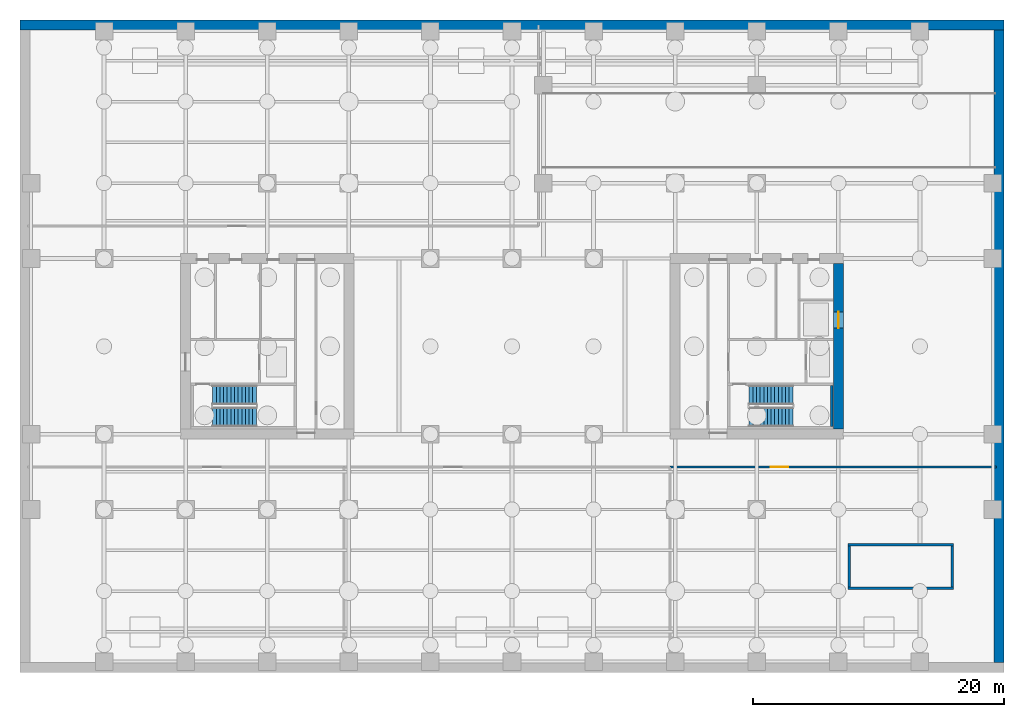
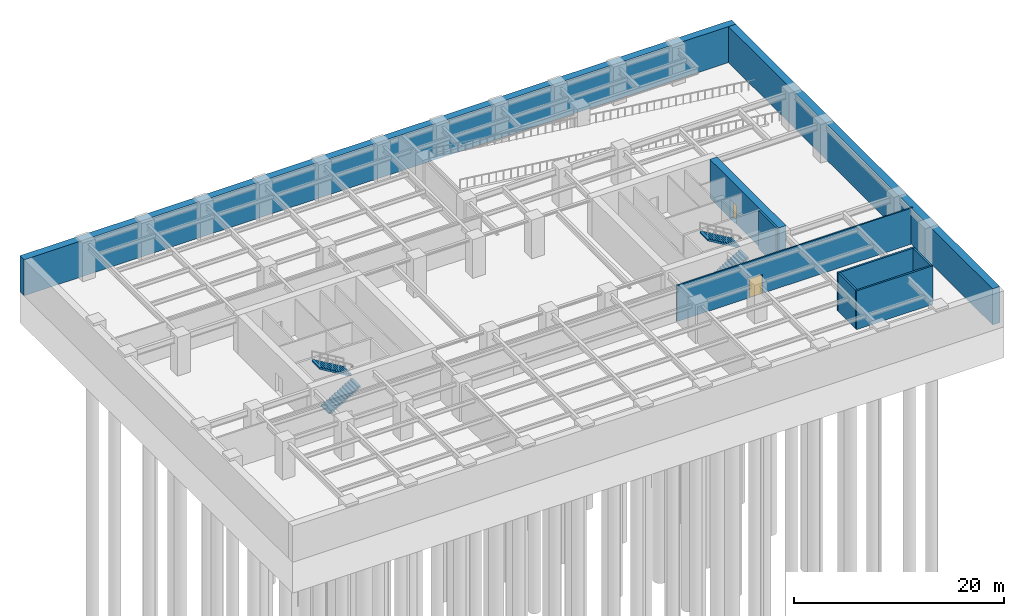
# One storey, part 7 of 11: 9 walls, 4 stair flights, 2 doors, 2 openings, 2 elements without a shape of their own.
"""IFC4 building model written with IfcOpenShell, lengths in metres."""

from ifc_helpers import new_model, si_unit, direction, frame, frame_2d, origin, place, context, subcontext, project, spatial, polyline, rectangle, outline, extrude, material, layer, layer_set, type_object, element, fill, aggregate, save


model = new_model("IFC4")

# Units and contexts
model_context = context("Model", 3, precision=1e-05, world=origin(), true_north=direction((0.0, 1.0)))
body_context = subcontext(model_context, "Body", "Model", "MODEL_VIEW")
ifc_project = project(units=[si_unit("LENGTHUNIT", "METRE"), si_unit("AREAUNIT", "SQUARE_METRE"), si_unit("VOLUMEUNIT", "CUBIC_METRE"), si_unit("PLANEANGLEUNIT", "RADIAN"), si_unit("MASSUNIT", "GRAM", prefix="KILO")], contexts=[model_context])

# Site, building, storey
site_placement = place(None, origin())
site = spatial("IfcSite", under=ifc_project, at=site_placement, CompositionType="ELEMENT")
building_placement = place(site_placement, origin())
building = spatial("IfcBuilding", under=site, at=building_placement, Name="Putna Gate Headquarters", CompositionType="ELEMENT")
storey_placement = place(building_placement, frame((0.0, 0.0, -13.5)))
storey = spatial("IfcBuildingStorey", under=building, at=storey_placement, Name="B03", CompositionType="ELEMENT", Elevation=-13.5)

# Wall, opening, door
ifc_material_1 = material(Name="Concrete C60/75", Category="concrete")
ifc_layer_1 = layer(ifc_material_1, 0.800048828125)
ifc_layer_set_1 = layer_set([ifc_layer_1], Name="Concrete C60/75")
wall_type_1 = type_object("IfcWallType", Name="WALL-CORE-800", PredefinedType="SHEAR", material=ifc_layer_set_1)
wall_1_placement = place(storey_placement, frame((65.0, 19.39990234375, 0.0), z_axis=(0.0, 0.0, 1.0), x_axis=(0.0, 1.0, 0.0)))
wall_1 = element("IfcWall", 1, at=wall_1_placement, inside=storey, type_object=wall_type_1, Name="B03 EC Split Core Shear Wall E", PredefinedType="SHEAR", context=body_context, shape_type="SweptSolid", body=[
    extrude(rectangle(XDim=13.2001953125, YDim=0.800048828125, at=frame_2d((6.60009765625, 0.0))), origin(), (0.0, 0.0, 1.0), 4.5),
])
opening_1_placement = place(wall_1_placement, frame((8.050048828125, 0.0, 0.0)))
opening_1 = element("IfcOpeningElement", 2, at=opening_1_placement, cuts=wall_1, Name="Opening LD-2", PredefinedType="OPENING", context=body_context, shape_type="SweptSolid", body=[
    extrude(rectangle(XDim=1.300048828125, YDim=2.199951171875, at=frame_2d((0.64990234375, 1.10009765625))), frame((0.0, 0.409912109375, 0.0), z_axis=(0.0, -1.0, 0.0), x_axis=(1.0, 0.0, 0.0)), (0.0, 0.0, 1.0), 0.820068359375),
])
ifc_material_2 = material(Name="Heavy-duty goods lift sliding landing door")
door_type_1 = type_object("IfcDoorType", Name="DOOR-LIFT-1300", OperationType="DOUBLE_DOOR_SLIDING", PredefinedType="DOOR", material=ifc_material_2)
door_1_placement = place(opening_1_placement, origin())
door_1 = element("IfcDoor", 3, at=door_1_placement, inside=storey, type_object=door_type_1, Name="B03 Goods Lift Landing Door LD-15", OperationType="DOUBLE_DOOR_SLIDING", OverallHeight=2.199951171875, OverallWidth=1.300048828125, PredefinedType="DOOR", context=body_context, shape_type="SweptSolid", body=[
    extrude(rectangle(XDim=1.300048828125, YDim=2.199951171875, at=frame_2d((0.64990234375, 1.10009765625))), frame((0.0, 0.02490234375, 0.0), z_axis=(0.0, -1.0, 0.0), x_axis=(1.0, 0.0, 0.0)), (0.0, 0.0, 1.0), 0.050048828125),
])
fill(opening_1, door_1)

# Walls
ifc_material_3 = material(Name="Concrete C40/50", Category="concrete")
ifc_layer_2 = layer(ifc_material_3, 0.800048828125)
ifc_layer_set_2 = layer_set([ifc_layer_2], Name="Concrete C40/50")
wall_type_2 = type_object("IfcWallType", Name="WALL-RET-800", PredefinedType="USERDEFINED", material=ifc_layer_set_2)
wall_2_placement = place(storey_placement, frame((78.199951171875, 51.60009765625, 0.0), z_axis=(0.0, 0.0, 1.0), x_axis=(-1.0, 0.0, 0.0)))
element("IfcWall", 4, at=wall_2_placement, inside=storey, type_object=wall_type_2, Name="B03 Basement Retaining Wall N", ObjectType="RETAININGWALL", PredefinedType="USERDEFINED", context=body_context, shape_type="SweptSolid", body=[
    extrude(rectangle(XDim=78.39990234375, YDim=0.800048828125, at=frame_2d((39.199951171875, 0.0))), origin(), (0.0, 0.0, 1.0), 4.199951171875),
])
wall_3_placement = place(storey_placement, frame((77.800048828125, 0.800048828125, 0.0), z_axis=(0.0, 0.0, 1.0), x_axis=(0.0, 1.0, 0.0)))
element("IfcWall", 5, at=wall_3_placement, inside=storey, type_object=wall_type_2, Name="B03 Basement Retaining Wall E", ObjectType="RETAININGWALL", PredefinedType="USERDEFINED", context=body_context, shape_type="SweptSolid", body=[
    extrude(rectangle(XDim=50.39990234375, YDim=0.800048828125, at=frame_2d((25.199951171875, 0.0))), origin(), (0.0, 0.0, 1.0), 4.199951171875),
])

# Wall, opening, door
ifc_layer_3 = layer(ifc_material_3, 0.159912109375)
ifc_layer_set_3 = layer_set([ifc_layer_3], Name="Concrete C40/50")
wall_type_3 = type_object("IfcWallType", Name="WALL-SHAFT-160", PredefinedType="STANDARD", material=ifc_layer_set_3)
wall_4_placement = place(storey_placement, frame((51.60009765625, 16.39990234375, 0.0), z_axis=(0.0, 0.0, 1.0), x_axis=(1.0, 0.0, 0.0)))
wall_4 = element("IfcWall", 6, at=wall_4_placement, inside=storey, type_object=wall_type_3, Name="B03 Interior Wall PART-B03-S3", PredefinedType="STANDARD", context=body_context, shape_type="SweptSolid", body=[
    extrude(rectangle(XDim=26.0, YDim=0.159912109375, at=frame_2d((13.0, 0.0))), origin(), (0.0, 0.0, 1.0), 4.199951171875),
])
opening_2_placement = place(wall_4_placement, frame((8.0, 0.0, 0.0)))
opening_2 = element("IfcOpeningElement", 7, at=opening_2_placement, cuts=wall_4, Name="Opening FDD-140", PredefinedType="OPENING", context=body_context, shape_type="SweptSolid", body=[
    extrude(rectangle(XDim=1.39990234375, YDim=2.199951171875, at=frame_2d((0.699951171875, 1.10009765625))), frame((0.0, 0.08984375, 0.0), z_axis=(0.0, -1.0, 0.0), x_axis=(1.0, 0.0, 0.0)), (0.0, 0.0, 1.0), 0.179931640625),
])
ifc_material_4 = material(Name="Double steel fire door", Category="steel")
door_type_2 = type_object("IfcDoorType", Name="DOOR-FIRE-DBL-1400", OperationType="DOUBLE_DOOR_SINGLE_SWING", PredefinedType="DOOR", material=ifc_material_4)
door_2_placement = place(opening_2_placement, origin())
door_2 = element("IfcDoor", 8, at=door_2_placement, inside=storey, type_object=door_type_2, Name="B03 Generator Plant Door", OperationType="DOUBLE_DOOR_SINGLE_SWING", OverallHeight=2.199951171875, OverallWidth=1.39990234375, PredefinedType="DOOR", context=body_context, shape_type="SweptSolid", body=[
    extrude(rectangle(XDim=1.39990234375, YDim=2.199951171875, at=frame_2d((0.699951171875, 1.10009765625))), frame((0.0, 0.02490234375, 0.0), z_axis=(0.0, -1.0, 0.0), x_axis=(1.0, 0.0, 0.0)), (0.0, 0.0, 1.0), 0.050048828125),
])
fill(opening_2, door_2)

# Walls
ifc_layer_4 = layer(ifc_material_3, 0.199951171875)
ifc_layer_set_4 = layer_set([ifc_layer_4], Name="Concrete C40/50")
wall_type_4 = type_object("IfcWallType", Name="WALL-SHAFT-RC200", PredefinedType="SHEAR", material=ifc_layer_set_4)
wall_5_placement = place(storey_placement, frame((64.489990234375, 19.610107421875, 0.0), z_axis=(0.0, 0.0, 1.0), x_axis=(0.0, 1.0, 0.0)))
element("IfcWall", 9, at=wall_5_placement, inside=storey, type_object=wall_type_4, Name="B03 Stair ST2 Structural Shaft Wall E", PredefinedType="SHEAR", context=body_context, shape_type="SweptSolid", body=[
    extrude(rectangle(XDim=3.27978515625, YDim=0.199951171875, at=frame_2d((1.639892578125, 0.0))), origin(), (0.0, 0.0, 1.0), 4.5),
])
for number, where, z_axis, x_axis, name in (
    (10, (65.760009765625, 6.7099609375, 0.0), (0.0, 0.0, 1.0), (1.0, 0.0, 0.0), "B03 Stair ST3 Structural Shaft Wall S"),
    (11, (65.760009765625, 10.18994140625, 0.0), (0.0, 0.0, 1.0), (1.0, 0.0, 0.0), "B03 Stair ST3 Structural Shaft Wall N"),
):
    element("IfcWall", number, at=place(storey_placement, frame(where, z_axis=z_axis, x_axis=x_axis)), inside=storey, type_object=wall_type_4, Name=name, PredefinedType="SHEAR", context=body_context, shape_type="SweptSolid", body=[
        extrude(rectangle(XDim=8.429931640625, YDim=0.199951171875, at=frame_2d((4.21484375, 0.0))), origin(), (0.0, 0.0, 1.0), 4.5),
    ])
for number, where, z_axis, x_axis, name in (
    (12, (65.860107421875, 6.81005859375, 0.0), (0.0, 0.0, 1.0), (0.0, 1.0, 0.0), "B03 Stair ST3 Structural Shaft Wall W"),
    (13, (74.090087890625, 6.81005859375, 0.0), (0.0, 0.0, 1.0), (0.0, 1.0, 0.0), "B03 Stair ST3 Structural Shaft Wall E"),
):
    element("IfcWall", number, at=place(storey_placement, frame(where, z_axis=z_axis, x_axis=x_axis)), inside=storey, type_object=wall_type_4, Name=name, PredefinedType="SHEAR", context=body_context, shape_type="SweptSolid", body=[
        extrude(rectangle(XDim=3.280029296875, YDim=0.199951171875, at=frame_2d((1.64013671875, 0.0))), origin(), (0.0, 0.0, 1.0), 4.5),
    ])

# Stair, stair flights
stair_type_1 = type_object("IfcStairType", Name="STAIR-ST1", PredefinedType="HALF_TURN_STAIR", material=ifc_material_3)
stair_1_placement = place(storey_placement, origin())
stair_1 = element("IfcStair", 14, at=stair_1_placement, inside=storey, type_object=stair_type_1, Name="B03 West Core Exit Stair ST1", PredefinedType="HALF_TURN_STAIR")
stair_flight_type_1 = type_object("IfcStairFlightType", Name="FLIGHT-ST1", PredefinedType="STRAIGHT", material=ifc_material_3)
stair_flight_1_placement = place(storey_placement, frame((15.14990234375, 20.375, 0.0), z_axis=(0.0, 0.0, 1.0), x_axis=(1.0, 0.0, 0.0)))
stair_flight_1 = element("IfcStairFlight", 15, at=stair_flight_1_placement, type_object=stair_flight_type_1, Name="ST1 flight 1", NumberOfRisers=13, NumberOfTreads=12, PredefinedType="STRAIGHT", RiserHeight=0.173076923, TreadLength=0.29, context=body_context, shape_type="SweptSolid", body=[
    extrude(outline(polyline([(0.0, 0.0), (0.0, 0.173095703125), (0.2900390625, 0.173095703125), (0.2900390625, 0.34619140625), (0.580078125, 0.34619140625), (0.580078125, 0.519287109375), (0.8701171875, 0.519287109375), (0.8701171875, 0.6923828125), (1.159912109375, 0.6923828125), (1.159912109375, 0.865478515625), (1.449951171875, 0.865478515625), (1.449951171875, 1.03857421875), (1.739990234375, 1.03857421875), (1.739990234375, 1.21142578125), (2.030029296875, 1.21142578125), (2.030029296875, 1.384521484375), (2.320068359375, 1.384521484375), (2.320068359375, 1.5576171875), (2.610107421875, 1.5576171875), (2.610107421875, 1.730712890625), (2.89990234375, 1.730712890625), (2.89990234375, 1.90380859375), (3.18994140625, 1.90380859375), (3.18994140625, 2.076904296875), (3.47998046875, 2.076904296875), (3.47998046875, 2.25), (3.47998046875, 1.90234375), (0.29248046875, 0.0), (0.0, 0.0)])), frame((0.0, 0.77490234375, 0.0), z_axis=(0.0, -1.0, 0.0), x_axis=(1.0, 0.0, 0.0)), (0.0, 0.0, 1.0), 1.550048828125),
])
stair_flight_2_placement = place(storey_placement, frame((18.6298828125, 22.125, 2.25), z_axis=(0.0, 0.0, 1.0), x_axis=(-1.0, 0.0, 0.0)))
stair_flight_2 = element("IfcStairFlight", 16, at=stair_flight_2_placement, type_object=stair_flight_type_1, Name="ST1 flight 2", NumberOfRisers=13, NumberOfTreads=12, PredefinedType="STRAIGHT", RiserHeight=0.173076923, TreadLength=0.29, context=body_context, shape_type="SweptSolid", body=[
    extrude(outline(polyline([(0.0, 0.0), (0.0, 0.173095703125), (0.2900390625, 0.173095703125), (0.2900390625, 0.34619140625), (0.580078125, 0.34619140625), (0.580078125, 0.519287109375), (0.8701171875, 0.519287109375), (0.8701171875, 0.6923828125), (1.159912109375, 0.6923828125), (1.159912109375, 0.865478515625), (1.449951171875, 0.865478515625), (1.449951171875, 1.03857421875), (1.739990234375, 1.03857421875), (1.739990234375, 1.21142578125), (2.030029296875, 1.21142578125), (2.030029296875, 1.384521484375), (2.320068359375, 1.384521484375), (2.320068359375, 1.5576171875), (2.610107421875, 1.5576171875), (2.610107421875, 1.730712890625), (2.89990234375, 1.730712890625), (2.89990234375, 1.90380859375), (3.18994140625, 1.90380859375), (3.18994140625, 2.076904296875), (3.47998046875, 2.076904296875), (3.47998046875, 2.25), (3.47998046875, 1.90234375), (0.29248046875, 0.0), (0.0, 0.0)])), frame((0.0, 0.77490234375, 0.0), z_axis=(0.0, -1.0, 0.0), x_axis=(1.0, 0.0, 0.0)), (0.0, 0.0, 1.0), 1.550048828125),
])
aggregate(stair_1, [stair_flight_1, stair_flight_2])

stair_type_2 = type_object("IfcStairType", Name="STAIR-ST2", PredefinedType="HALF_TURN_STAIR", material=ifc_material_3)
stair_2_placement = place(storey_placement, origin())
stair_2 = element("IfcStair", 17, at=stair_2_placement, inside=storey, type_object=stair_type_2, Name="B03 East Core Exit Stair ST2", PredefinedType="HALF_TURN_STAIR")
stair_flight_type_2 = type_object("IfcStairFlightType", Name="FLIGHT-ST2", PredefinedType="STRAIGHT", material=ifc_material_3)
stair_flight_3_placement = place(storey_placement, frame((57.89990234375, 20.375, 0.0), z_axis=(0.0, 0.0, 1.0), x_axis=(1.0, 0.0, 0.0)))
stair_flight_3 = element("IfcStairFlight", 18, at=stair_flight_3_placement, type_object=stair_flight_type_2, Name="ST2 flight 1", NumberOfRisers=13, NumberOfTreads=12, PredefinedType="STRAIGHT", RiserHeight=0.173076923, TreadLength=0.29, context=body_context, shape_type="SweptSolid", body=[
    extrude(outline(polyline([(0.0, 0.0), (0.0, 0.173095703125), (0.2900390625, 0.173095703125), (0.2900390625, 0.34619140625), (0.580078125, 0.34619140625), (0.580078125, 0.519287109375), (0.8701171875, 0.519287109375), (0.8701171875, 0.6923828125), (1.159912109375, 0.6923828125), (1.159912109375, 0.865478515625), (1.449951171875, 0.865478515625), (1.449951171875, 1.03857421875), (1.739990234375, 1.03857421875), (1.739990234375, 1.21142578125), (2.030029296875, 1.21142578125), (2.030029296875, 1.384521484375), (2.320068359375, 1.384521484375), (2.320068359375, 1.5576171875), (2.610107421875, 1.5576171875), (2.610107421875, 1.730712890625), (2.89990234375, 1.730712890625), (2.89990234375, 1.90380859375), (3.18994140625, 1.90380859375), (3.18994140625, 2.076904296875), (3.47998046875, 2.076904296875), (3.47998046875, 2.25), (3.47998046875, 1.90234375), (0.29248046875, 0.0), (0.0, 0.0)])), frame((0.0, 0.77490234375, 0.0), z_axis=(0.0, -1.0, 0.0), x_axis=(1.0, 0.0, 0.0)), (0.0, 0.0, 1.0), 1.550048828125),
])
stair_flight_4_placement = place(storey_placement, frame((61.3798828125, 22.125, 2.25), z_axis=(0.0, 0.0, 1.0), x_axis=(-1.0, 0.0, 0.0)))
stair_flight_4 = element("IfcStairFlight", 19, at=stair_flight_4_placement, type_object=stair_flight_type_2, Name="ST2 flight 2", NumberOfRisers=13, NumberOfTreads=12, PredefinedType="STRAIGHT", RiserHeight=0.173076923, TreadLength=0.29, context=body_context, shape_type="SweptSolid", body=[
    extrude(outline(polyline([(0.0, 0.0), (0.0, 0.173095703125), (0.2900390625, 0.173095703125), (0.2900390625, 0.34619140625), (0.580078125, 0.34619140625), (0.580078125, 0.519287109375), (0.8701171875, 0.519287109375), (0.8701171875, 0.6923828125), (1.159912109375, 0.6923828125), (1.159912109375, 0.865478515625), (1.449951171875, 0.865478515625), (1.449951171875, 1.03857421875), (1.739990234375, 1.03857421875), (1.739990234375, 1.21142578125), (2.030029296875, 1.21142578125), (2.030029296875, 1.384521484375), (2.320068359375, 1.384521484375), (2.320068359375, 1.5576171875), (2.610107421875, 1.5576171875), (2.610107421875, 1.730712890625), (2.89990234375, 1.730712890625), (2.89990234375, 1.90380859375), (3.18994140625, 1.90380859375), (3.18994140625, 2.076904296875), (3.47998046875, 2.076904296875), (3.47998046875, 2.25), (3.47998046875, 1.90234375), (0.29248046875, 0.0), (0.0, 0.0)])), frame((0.0, 0.77490234375, 0.0), z_axis=(0.0, -1.0, 0.0), x_axis=(1.0, 0.0, 0.0)), (0.0, 0.0, 1.0), 1.550048828125),
])
aggregate(stair_2, [stair_flight_3, stair_flight_4])

save(model, "model.ifc")
